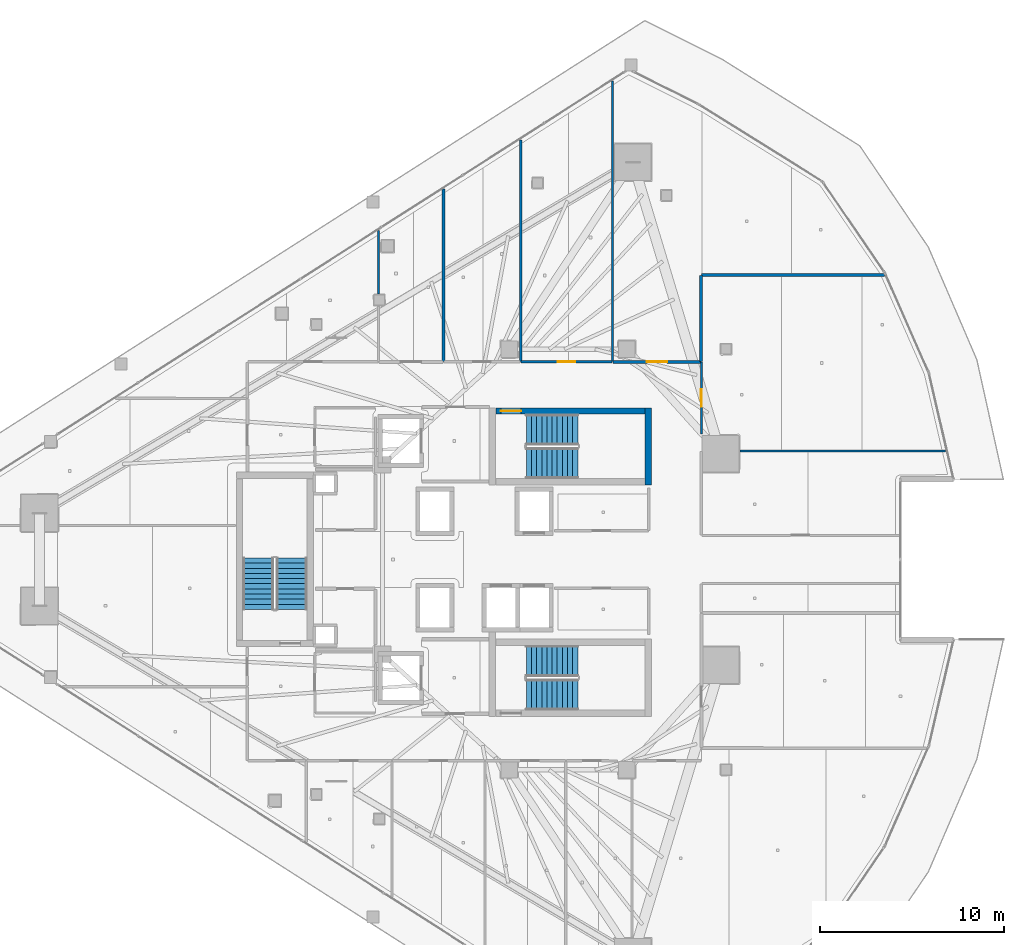
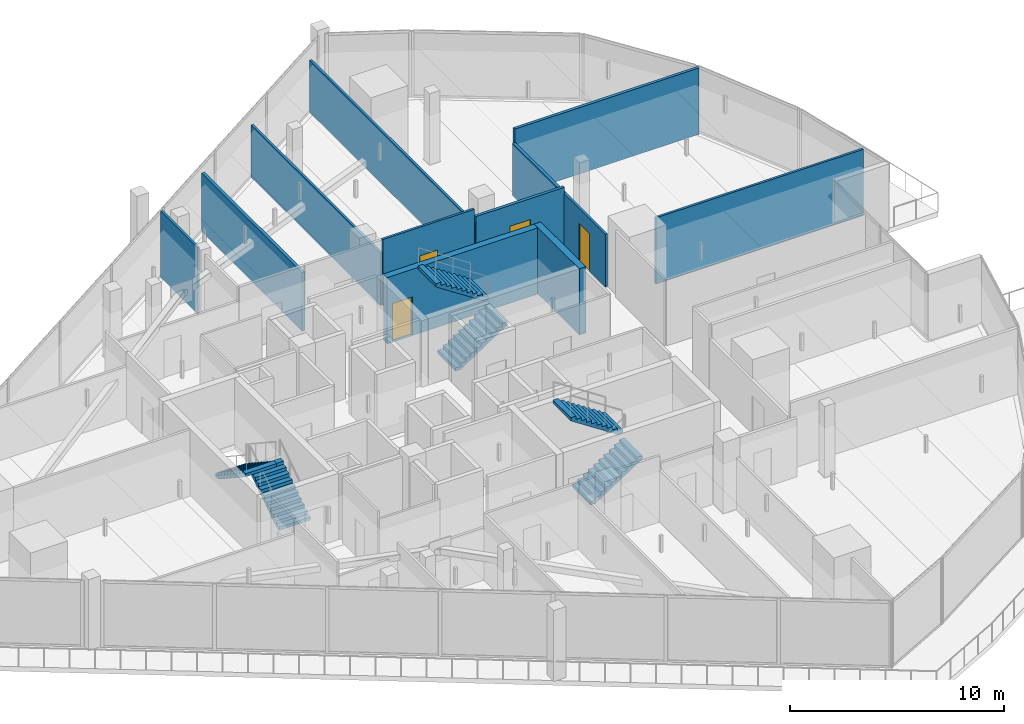
# One storey, part 33 of 43: 12 walls, 6 stair flights, 4 doors, 4 openings, 3 elements without a shape of their own.
"""IFC4 building model written with IfcOpenShell, lengths in metres."""

from ifc_helpers import new_model, si_unit, direction, frame, frame_2d, origin, place, context, subcontext, project, spatial, polyline, rectangle, outline, extrude, material, layer, layer_set, type_object, element, fill, aggregate, save


model = new_model("IFC4")

# Units and contexts
model_context = context("Model", 3, precision=1e-05, world=origin(), true_north=direction((0.0, 1.0)))
body_context = subcontext(model_context, "Body", "Model", "MODEL_VIEW")
ifc_project = project(units=[si_unit("LENGTHUNIT", "METRE"), si_unit("AREAUNIT", "SQUARE_METRE"), si_unit("VOLUMEUNIT", "CUBIC_METRE"), si_unit("PLANEANGLEUNIT", "RADIAN"), si_unit("MASSUNIT", "GRAM", prefix="KILO")], contexts=[model_context])

# Site, building, storey
site_placement = place(None, origin())
site = spatial("IfcSite", under=ifc_project, at=site_placement, CompositionType="ELEMENT")
building_placement = place(site_placement, origin())
building = spatial("IfcBuilding", under=site, at=building_placement, Name="Qorvath Tower", CompositionType="ELEMENT")
storey_placement = place(building_placement, frame((0.0, 0.0, 213.14990234375)))
storey = spatial("IfcBuildingStorey", under=building, at=storey_placement, Name="L49", CompositionType="ELEMENT", Elevation=213.14990234375)

# Wall
ifc_material_1 = material(Name="Double acoustic gypsum board on steel studs", Category="steel")
ifc_layer_1 = layer(ifc_material_1, 0.159912109375)
ifc_layer_set_1 = layer_set([ifc_layer_1], Name="IW-ACOUSTIC-160")
wall_type_1 = type_object("IfcWallType", Name="IW-ACOUSTIC-160", PredefinedType="PARTITIONING", material=ifc_layer_set_1)
wall_1_placement = place(storey_placement, frame((-27.181640625, 10.783203125, 0.0), z_axis=(0.0, 0.0, 1.0), x_axis=(0.0, 1.0, 0.0)))
element("IfcWall", 1, at=wall_1_placement, inside=storey, type_object=wall_type_1, Name="Interior Partition IW-T1-L49-029", PredefinedType="PARTITIONING", context=body_context, shape_type="SweptSolid", body=[
    extrude(rectangle(XDim=9.377685546875, YDim=0.159912109375, at=frame_2d((4.68896484375, 0.0))), origin(), (0.0, 0.0, 1.0), 3.34375),
])

# Wall, opening, door
wall_2_placement = place(storey_placement, frame((-17.948486328125, 10.758056640625, 0.0), z_axis=(0.0, 0.0, 1.0), x_axis=(1.0, 0.0, 0.0)))
wall_2 = element("IfcWall", 2, at=wall_2_placement, inside=storey, type_object=wall_type_1, Name="Interior Partition IW-T1-L49-034", PredefinedType="PARTITIONING", context=body_context, shape_type="SweptSolid", body=[
    extrude(rectangle(XDim=4.773681640625, YDim=0.159912109375, at=frame_2d((2.38671875, 0.0))), origin(), (0.0, 0.0, 1.0), 3.34375),
])
opening_1_placement = place(wall_2_placement, frame((1.8369140625, 0.0, 0.0)))
opening_1 = element("IfcOpeningElement", 3, at=opening_1_placement, cuts=wall_2, Name="Opening D-T1-L49-11", PredefinedType="OPENING", context=body_context, shape_type="SweptSolid", body=[
    extrude(rectangle(XDim=1.10009765625, YDim=2.14990234375, at=frame_2d((0.550048828125, 1.074951171875))), frame((0.0, 0.08984375, 0.0), z_axis=(0.0, -1.0, 0.0), x_axis=(1.0, 0.0, 0.0)), (0.0, 0.0, 1.0), 0.179931640625),
])
ifc_material_2 = material(Name="Anodised aluminium acoustic framed glass", Category="aluminium")
door_type_1 = type_object("IfcDoorType", Name="D-03", OperationType="NOTDEFINED", PredefinedType="DOOR", material=ifc_material_2)
door_1_placement = place(opening_1_placement, origin())
door_1 = element("IfcDoor", 4, at=door_1_placement, inside=storey, type_object=door_type_1, Name="L49-05 Client Services Office Door D-T1-L49-11", OperationType="SINGLE_SWING_RIGHT", OverallHeight=2.14990234375, OverallWidth=1.10009765625, PredefinedType="DOOR", context=body_context, shape_type="SweptSolid", body=[
    extrude(rectangle(XDim=1.10009765625, YDim=2.14990234375, at=frame_2d((0.550048828125, 1.074951171875))), frame((0.0, 0.02490234375, 0.0), z_axis=(0.0, -1.0, 0.0), x_axis=(1.0, 0.0, 0.0)), (0.0, 0.0, 1.0), 0.050048828125),
])
fill(opening_1, door_1)

# Walls
wall_3_placement = place(storey_placement, frame((-13.14990234375, 15.452880859375, 0.0), z_axis=(0.0, 0.0, 1.0), x_axis=(0.0, -1.0, 0.0)))
element("IfcWall", 5, at=wall_3_placement, inside=storey, type_object=wall_type_1, Name="Interior Partition IW-T1-L49-035", PredefinedType="PARTITIONING", context=body_context, shape_type="SweptSolid", body=[
    extrude(rectangle(XDim=4.669677734375, YDim=0.159912109375, at=frame_2d((2.3349609375, 0.0))), origin(), (0.0, 0.0, 1.0), 3.0),
])
wall_4_placement = place(storey_placement, frame((-13.125, 15.47802734375, 0.0), z_axis=(0.0, 0.0, 1.0), x_axis=(0.999999153788, 0.001300931643, 0.0)))
element("IfcWall", 6, at=wall_4_placement, inside=storey, type_object=wall_type_1, Name="Interior Partition IW-T1-L49-036", PredefinedType="PARTITIONING", context=body_context, shape_type="SweptSolid", body=[
    extrude(rectangle(XDim=9.9462890625, YDim=0.159912109375, at=frame_2d((4.97314453125, 0.0))), origin(), (0.0, 0.0, 1.0), 3.780029296875),
])
ifc_material_3 = material(Name="Gypsum board on metal studs with mineral wool", Category="gypsum")
ifc_layer_2 = layer(ifc_material_3, 0.125)
ifc_layer_set_2 = layer_set([ifc_layer_2], Name="IW-PART-125")
wall_type_2 = type_object("IfcWallType", Name="IW-PART-125", PredefinedType="PARTITIONING", material=ifc_layer_set_2)
wall_5_placement = place(storey_placement, frame((-30.72119140625, 14.46435546875, 0.0), z_axis=(0.0, 0.0, 1.0), x_axis=(0.0, 1.0, 0.0)))
element("IfcWall", 7, at=wall_5_placement, inside=storey, type_object=wall_type_2, Name="Interior Partition IW-T1-L49-026", PredefinedType="PARTITIONING", context=body_context, shape_type="SweptSolid", body=[
    extrude(rectangle(XDim=3.43408203125, YDim=0.125, at=frame_2d((1.717041015625, 0.0))), origin(), (0.0, 0.0, 1.0), 3.780029296875),
])
wall_6_placement = place(storey_placement, frame((-22.980712890625, 10.783203125, 0.0), z_axis=(0.0, 0.0, 1.0), x_axis=(0.0, 1.0, 0.0)))
element("IfcWall", 8, at=wall_6_placement, inside=storey, type_object=wall_type_2, Name="Interior Partition IW-T1-L49-031", PredefinedType="PARTITIONING", context=body_context, shape_type="SweptSolid", body=[
    extrude(rectangle(XDim=12.0625, YDim=0.125, at=frame_2d((6.03125, 0.0))), origin(), (0.0, 0.0, 1.0), 2.97705078125),
])

# Wall, opening, door
wall_7_placement = place(storey_placement, frame((-22.947998046875, 10.758056640625, 0.0), z_axis=(0.0, 0.0, 1.0), x_axis=(1.0, 0.0, 0.0)))
wall_7 = element("IfcWall", 9, at=wall_7_placement, inside=storey, type_object=wall_type_2, Name="Interior Partition IW-T1-L49-032", PredefinedType="PARTITIONING", context=body_context, shape_type="SweptSolid", body=[
    extrude(rectangle(XDim=4.941650390625, YDim=0.125, at=frame_2d((2.470703125, 0.0))), origin(), (0.0, 0.0, 1.0), 3.780029296875),
])
opening_2_placement = place(wall_7_placement, frame((1.995849609375, 0.0, 0.0)))
opening_2 = element("IfcOpeningElement", 10, at=opening_2_placement, cuts=wall_7, Name="Opening D-T1-L49-10", PredefinedType="OPENING", context=body_context, shape_type="SweptSolid", body=[
    extrude(rectangle(XDim=0.949951171875, YDim=2.14990234375, at=frame_2d((0.47509765625, 1.074951171875))), frame((0.0, 0.072509765625, 0.0), z_axis=(0.0, -1.0, 0.0), x_axis=(1.0, 0.0, 0.0)), (0.0, 0.0, 1.0), 0.14501953125),
])
ifc_material_4 = material(Name="Solid-core American white oak veneer", Category="wood")
door_type_2 = type_object("IfcDoorType", Name="D-01", OperationType="NOTDEFINED", PredefinedType="DOOR", material=ifc_material_4)
door_2_placement = place(opening_2_placement, origin())
door_2 = element("IfcDoor", 11, at=door_2_placement, inside=storey, type_object=door_type_2, Name="L49-04 Staff Refreshment Pantry and Coffee Bar Door D-T1-L49-10", OperationType="SINGLE_SWING_LEFT", OverallHeight=2.14990234375, OverallWidth=0.949951171875, PredefinedType="DOOR", context=body_context, shape_type="SweptSolid", body=[
    extrude(rectangle(XDim=0.949951171875, YDim=2.14990234375, at=frame_2d((0.47509765625, 1.074951171875))), frame((0.0, 0.02490234375, 0.0), z_axis=(0.0, -1.0, 0.0), x_axis=(1.0, 0.0, 0.0)), (0.0, 0.0, 1.0), 0.050048828125),
])
fill(opening_2, door_2)

# Walls
wall_8_placement = place(storey_placement, frame((-17.9814453125, 10.783203125, 0.0), z_axis=(0.0, 0.0, 1.0), x_axis=(0.0, 1.0, 0.0)))
element("IfcWall", 12, at=wall_8_placement, inside=storey, type_object=wall_type_2, Name="Interior Partition IW-T1-L49-033", PredefinedType="PARTITIONING", context=body_context, shape_type="SweptSolid", body=[
    extrude(rectangle(XDim=15.2578125, YDim=0.125, at=frame_2d((7.62890625, 0.0))), origin(), (0.0, 0.0, 1.0), 2.97705078125),
])
wall_9_placement = place(storey_placement, frame((0.154052734375, 5.905517578125, 0.0), z_axis=(0.0, 0.0, 1.0), x_axis=(-1.0, 0.0, 0.0)))
element("IfcWall", 13, at=wall_9_placement, inside=storey, type_object=wall_type_2, Name="Interior Partition IW-T1-L49-051", PredefinedType="PARTITIONING", context=body_context, shape_type="SweptSolid", body=[
    extrude(rectangle(XDim=11.185791015625, YDim=0.125, at=frame_2d((5.5927734375, 0.0))), origin(), (0.0, 0.0, 1.0), 3.780029296875),
])

# Wall, opening, door
wall_10_placement = place(storey_placement, frame((-13.13818359375, 10.75830078125, 0.0), z_axis=(0.0, 0.0, 1.0), x_axis=(0.000868539904, -0.999999622819, 0.0)))
wall_10 = element("IfcWall", 14, at=wall_10_placement, inside=storey, type_object=wall_type_2, Name="Interior Partition IW-T1-L49-056", PredefinedType="PARTITIONING", context=body_context, shape_type="SweptSolid", body=[
    extrude(rectangle(XDim=3.935302734375, YDim=0.125, at=frame_2d((1.9677734375, 0.0))), origin(), (0.0, 0.0, 1.0), 3.0),
])
opening_3_placement = place(wall_10_placement, frame((1.49267578125, 0.0, 0.0)))
opening_3 = element("IfcOpeningElement", 15, at=opening_3_placement, cuts=wall_10, Name="Opening D-T1-L49-18", PredefinedType="OPENING", context=body_context, shape_type="SweptSolid", body=[
    extrude(rectangle(XDim=0.949951171875, YDim=2.14990234375, at=frame_2d((0.47509765625, 1.074951171875))), frame((0.0, 0.072509765625, 0.0), z_axis=(0.0, -1.0, 0.0), x_axis=(1.0, 0.0, 0.0)), (0.0, 0.0, 1.0), 0.14501953125),
])
door_3_placement = place(opening_3_placement, origin())
door_3 = element("IfcDoor", 16, at=door_3_placement, inside=storey, type_object=door_type_2, Name="L49-13 Open Workplace Studio Door D-T1-L49-18", OperationType="SINGLE_SWING_LEFT", OverallHeight=2.14990234375, OverallWidth=0.949951171875, PredefinedType="DOOR", context=body_context, shape_type="SweptSolid", body=[
    extrude(rectangle(XDim=0.949951171875, YDim=2.14990234375, at=frame_2d((0.47509765625, 1.074951171875))), frame((0.0, 0.02490234375, 0.0), z_axis=(0.0, -1.0, 0.0), x_axis=(1.0, 0.0, 0.0)), (0.0, 0.0, 1.0), 0.050048828125),
])
fill(opening_3, door_3)

# Wall
ifc_material_5 = material(Name="Concrete C60/75", Category="concrete")
ifc_layer_3 = layer(ifc_material_5, 0.35009765625)
ifc_layer_set_3 = layer_set([ifc_layer_3], Name="SW-STAIR")
wall_type_3 = type_object("IfcWallType", Name="SW-STAIR", PredefinedType="SHEAR", material=ifc_layer_set_3)
wall_11_placement = place(storey_placement, frame((-16.02490234375, 4.050048828125, 0.0), z_axis=(0.0, 0.0, 1.0), x_axis=(0.0, 1.0, 0.0)))
element("IfcWall", 17, at=wall_11_placement, inside=storey, type_object=wall_type_3, Name="Stair TS1 Shear Wall L49 FAR", PredefinedType="SHEAR", context=body_context, shape_type="SweptSolid", body=[
    extrude(rectangle(XDim=4.2099609375, YDim=0.35009765625, at=frame_2d((2.10498046875, 0.0))), origin(), (0.0, 0.0, 1.0), 3.780029296875),
])

# Wall, opening, door
wall_12_placement = place(storey_placement, frame((-16.215087890625, 8.0849609375, 0.0), z_axis=(0.0, 0.0, 1.0), x_axis=(-1.0, 0.0, 0.0)))
wall_12 = element("IfcWall", 18, at=wall_12_placement, inside=storey, type_object=wall_type_3, Name="Stair TS1 Shear Wall L49 RIGHT", PredefinedType="SHEAR", context=body_context, shape_type="SweptSolid", body=[
    extrude(rectangle(XDim=8.119873046875, YDim=0.35009765625, at=frame_2d((4.06005859375, 0.0))), origin(), (0.0, 0.0, 1.0), 3.780029296875),
])
opening_4_placement = place(wall_12_placement, frame((6.739990234375, 0.0, 0.0)))
opening_4 = element("IfcOpeningElement", 19, at=opening_4_placement, cuts=wall_12, Name="Opening D-TS1-L49", PredefinedType="OPENING", context=body_context, shape_type="SweptSolid", body=[
    extrude(rectangle(XDim=1.10009765625, YDim=2.199951171875, at=frame_2d((0.550048828125, 1.10009765625))), frame((0.0, 0.18505859375, 0.0), z_axis=(0.0, -1.0, 0.0), x_axis=(1.0, 0.0, 0.0)), (0.0, 0.0, 1.0), 0.3701171875),
])
ifc_material_6 = material(Name="Painted galvanised hollow metal", Category="steel")
door_type_3 = type_object("IfcDoorType", Name="FD-90", OperationType="NOTDEFINED", PredefinedType="DOOR", material=ifc_material_6)
door_4_placement = place(opening_4_placement, origin())
door_4 = element("IfcDoor", 20, at=door_4_placement, inside=storey, type_object=door_type_3, Name="Stair TS1 Fire Door L49", OperationType="SINGLE_SWING_RIGHT", OverallHeight=2.199951171875, OverallWidth=1.10009765625, PredefinedType="DOOR", context=body_context, shape_type="SweptSolid", body=[
    extrude(rectangle(XDim=1.10009765625, YDim=2.199951171875, at=frame_2d((0.550048828125, 1.10009765625))), frame((0.0, 0.02490234375, 0.0), z_axis=(0.0, -1.0, 0.0), x_axis=(1.0, 0.0, 0.0)), (0.0, 0.0, 1.0), 0.050048828125),
])
fill(opening_4, door_4)

# Stair, stair flights
ifc_material_7 = material(Name="Concrete C50/60", Category="concrete")
stair_type = type_object("IfcStairType", Name="ST-H405", PredefinedType="HALF_TURN_STAIR", material=ifc_material_7)
stair_1_placement = place(storey_placement, origin())
stair_1 = element("IfcStair", 21, at=stair_1_placement, inside=storey, type_object=stair_type, Name="L49 Tower Exit Stair 1", PredefinedType="HALF_TURN_STAIR")
ifc_material_8 = material(Name="Concrete C50/60", Category="concrete")
ifc_layer_4 = layer(ifc_material_8, 0.14990234375)
ifc_layer_set_4 = layer_set([ifc_layer_4], Name="SF-H405")
stair_flight_type = type_object("IfcStairFlightType", Name="SF-H405", PredefinedType="STRAIGHT", material=ifc_layer_set_4)
stair_flight_1_placement = place(storey_placement, frame((-22.669921875, 5.239990234375, 0.0), z_axis=(0.0, 0.0, 1.0), x_axis=(1.0, 0.0, 0.0)))
stair_flight_1 = element("IfcStairFlight", 22, at=stair_flight_1_placement, type_object=stair_flight_type, Name="TS1 flight 1", NumberOfRisers=11, NumberOfTreads=10, PredefinedType="STRAIGHT", RiserHeight=0.184090909, TreadLength=0.28, context=body_context, shape_type="SweptSolid", body=[
    extrude(outline(polyline([(0.0, 0.0), (0.0, 0.18408203125), (0.280029296875, 0.18408203125), (0.280029296875, 0.3681640625), (0.56005859375, 0.3681640625), (0.56005859375, 0.55224609375), (0.840087890625, 0.55224609375), (0.840087890625, 0.736328125), (1.1201171875, 0.736328125), (1.1201171875, 0.92041015625), (1.39990234375, 0.92041015625), (1.39990234375, 1.1044921875), (1.679931640625, 1.1044921875), (1.679931640625, 1.28857421875), (1.9599609375, 1.28857421875), (1.9599609375, 1.47265625), (2.239990234375, 1.47265625), (2.239990234375, 1.65673828125), (2.52001953125, 1.65673828125), (2.52001953125, 1.8408203125), (2.800048828125, 1.8408203125), (2.800048828125, 2.02490234375), (2.800048828125, 1.66162109375), (0.27294921875, 0.0), (0.0, 0.0)])), frame((0.0, 0.83984375, 0.0), z_axis=(0.0, -1.0, 0.0), x_axis=(1.0, 0.0, 0.0)), (0.0, 0.0, 1.0), 1.679931640625),
])
stair_flight_2_placement = place(storey_placement, frame((-19.8701171875, 7.070068359375, 2.025146484375), z_axis=(0.0, 0.0, 1.0), x_axis=(-1.0, 0.0, 0.0)))
stair_flight_2 = element("IfcStairFlight", 23, at=stair_flight_2_placement, type_object=stair_flight_type, Name="TS1 flight 2", NumberOfRisers=11, NumberOfTreads=10, PredefinedType="STRAIGHT", RiserHeight=0.184090909, TreadLength=0.28, context=body_context, shape_type="SweptSolid", body=[
    extrude(outline(polyline([(0.0, 0.0), (0.0, 0.18408203125), (0.280029296875, 0.18408203125), (0.280029296875, 0.3681640625), (0.56005859375, 0.3681640625), (0.56005859375, 0.55224609375), (0.840087890625, 0.55224609375), (0.840087890625, 0.736328125), (1.1201171875, 0.736328125), (1.1201171875, 0.92041015625), (1.39990234375, 0.92041015625), (1.39990234375, 1.1044921875), (1.679931640625, 1.1044921875), (1.679931640625, 1.28857421875), (1.9599609375, 1.28857421875), (1.9599609375, 1.47265625), (2.239990234375, 1.47265625), (2.239990234375, 1.65673828125), (2.52001953125, 1.65673828125), (2.52001953125, 1.8408203125), (2.800048828125, 1.8408203125), (2.800048828125, 2.02490234375), (2.800048828125, 1.66162109375), (0.27294921875, 0.0), (0.0, 0.0)])), frame((0.0, 0.83984375, 0.0), z_axis=(0.0, -1.0, 0.0), x_axis=(1.0, 0.0, 0.0)), (0.0, 0.0, 1.0), 1.679931640625),
])
aggregate(stair_1, [stair_flight_1, stair_flight_2])

stair_2_placement = place(storey_placement, origin())
stair_2 = element("IfcStair", 24, at=stair_2_placement, inside=storey, type_object=stair_type, Name="L49 Tower Exit Stair 2", PredefinedType="HALF_TURN_STAIR")
stair_flight_3_placement = place(storey_placement, frame((-22.669921875, -7.360107421875, 0.0), z_axis=(0.0, 0.0, 1.0), x_axis=(1.0, 0.0, 0.0)))
stair_flight_3 = element("IfcStairFlight", 25, at=stair_flight_3_placement, type_object=stair_flight_type, Name="TS2 flight 1", NumberOfRisers=11, NumberOfTreads=10, PredefinedType="STRAIGHT", RiserHeight=0.184090909, TreadLength=0.28, context=body_context, shape_type="SweptSolid", body=[
    extrude(outline(polyline([(0.0, 0.0), (0.0, 0.18408203125), (0.280029296875, 0.18408203125), (0.280029296875, 0.3681640625), (0.56005859375, 0.3681640625), (0.56005859375, 0.55224609375), (0.840087890625, 0.55224609375), (0.840087890625, 0.736328125), (1.1201171875, 0.736328125), (1.1201171875, 0.92041015625), (1.39990234375, 0.92041015625), (1.39990234375, 1.1044921875), (1.679931640625, 1.1044921875), (1.679931640625, 1.28857421875), (1.9599609375, 1.28857421875), (1.9599609375, 1.47265625), (2.239990234375, 1.47265625), (2.239990234375, 1.65673828125), (2.52001953125, 1.65673828125), (2.52001953125, 1.8408203125), (2.800048828125, 1.8408203125), (2.800048828125, 2.02490234375), (2.800048828125, 1.66162109375), (0.27294921875, 0.0), (0.0, 0.0)])), frame((0.0, 0.83984375, 0.0), z_axis=(0.0, -1.0, 0.0), x_axis=(1.0, 0.0, 0.0)), (0.0, 0.0, 1.0), 1.679931640625),
])
stair_flight_4_placement = place(storey_placement, frame((-19.8701171875, -5.530029296875, 2.025146484375), z_axis=(0.0, 0.0, 1.0), x_axis=(-1.0, 0.0, 0.0)))
stair_flight_4 = element("IfcStairFlight", 26, at=stair_flight_4_placement, type_object=stair_flight_type, Name="TS2 flight 2", NumberOfRisers=11, NumberOfTreads=10, PredefinedType="STRAIGHT", RiserHeight=0.184090909, TreadLength=0.28, context=body_context, shape_type="SweptSolid", body=[
    extrude(outline(polyline([(0.0, 0.0), (0.0, 0.18408203125), (0.280029296875, 0.18408203125), (0.280029296875, 0.3681640625), (0.56005859375, 0.3681640625), (0.56005859375, 0.55224609375), (0.840087890625, 0.55224609375), (0.840087890625, 0.736328125), (1.1201171875, 0.736328125), (1.1201171875, 0.92041015625), (1.39990234375, 0.92041015625), (1.39990234375, 1.1044921875), (1.679931640625, 1.1044921875), (1.679931640625, 1.28857421875), (1.9599609375, 1.28857421875), (1.9599609375, 1.47265625), (2.239990234375, 1.47265625), (2.239990234375, 1.65673828125), (2.52001953125, 1.65673828125), (2.52001953125, 1.8408203125), (2.800048828125, 1.8408203125), (2.800048828125, 2.02490234375), (2.800048828125, 1.66162109375), (0.27294921875, 0.0), (0.0, 0.0)])), frame((0.0, 0.83984375, 0.0), z_axis=(0.0, -1.0, 0.0), x_axis=(1.0, 0.0, 0.0)), (0.0, 0.0, 1.0), 1.679931640625),
])
aggregate(stair_2, [stair_flight_3, stair_flight_4])

stair_3_placement = place(storey_placement, origin())
stair_3 = element("IfcStair", 27, at=stair_3_placement, inside=storey, type_object=stair_type, Name="L49 Tower Exit Stair 3", PredefinedType="HALF_TURN_STAIR")
stair_flight_5_placement = place(storey_placement, frame((-35.43994140625, -2.719970703125, 0.0), z_axis=(0.0, 0.0, 1.0), x_axis=(0.0, 1.0, 0.0)))
stair_flight_5 = element("IfcStairFlight", 28, at=stair_flight_5_placement, type_object=stair_flight_type, Name="TS3 flight 1", NumberOfRisers=11, NumberOfTreads=10, PredefinedType="STRAIGHT", RiserHeight=0.184090909, TreadLength=0.28, context=body_context, shape_type="SweptSolid", body=[
    extrude(outline(polyline([(0.0, 0.0), (0.0, 0.18408203125), (0.280029296875, 0.18408203125), (0.280029296875, 0.3681640625), (0.56005859375, 0.3681640625), (0.56005859375, 0.55224609375), (0.840087890625, 0.55224609375), (0.840087890625, 0.736328125), (1.1201171875, 0.736328125), (1.1201171875, 0.92041015625), (1.39990234375, 0.92041015625), (1.39990234375, 1.1044921875), (1.679931640625, 1.1044921875), (1.679931640625, 1.28857421875), (1.9599609375, 1.28857421875), (1.9599609375, 1.47265625), (2.239990234375, 1.47265625), (2.239990234375, 1.65673828125), (2.52001953125, 1.65673828125), (2.52001953125, 1.8408203125), (2.800048828125, 1.8408203125), (2.800048828125, 2.02490234375), (2.800048828125, 1.66162109375), (0.27294921875, 0.0), (0.0, 0.0)])), frame((0.0, 0.83984375, 0.0), z_axis=(0.0, -1.0, 0.0), x_axis=(1.0, 0.0, 0.0)), (0.0, 0.0, 1.0), 1.679931640625),
])
stair_flight_6_placement = place(storey_placement, frame((-37.27001953125, 0.080078125, 2.025146484375), z_axis=(0.0, 0.0, 1.0), x_axis=(0.0, -1.0, 0.0)))
stair_flight_6 = element("IfcStairFlight", 29, at=stair_flight_6_placement, type_object=stair_flight_type, Name="TS3 flight 2", NumberOfRisers=11, NumberOfTreads=10, PredefinedType="STRAIGHT", RiserHeight=0.184090909, TreadLength=0.28, context=body_context, shape_type="SweptSolid", body=[
    extrude(outline(polyline([(0.0, 0.0), (0.0, 0.18408203125), (0.280029296875, 0.18408203125), (0.280029296875, 0.3681640625), (0.56005859375, 0.3681640625), (0.56005859375, 0.55224609375), (0.840087890625, 0.55224609375), (0.840087890625, 0.736328125), (1.1201171875, 0.736328125), (1.1201171875, 0.92041015625), (1.39990234375, 0.92041015625), (1.39990234375, 1.1044921875), (1.679931640625, 1.1044921875), (1.679931640625, 1.28857421875), (1.9599609375, 1.28857421875), (1.9599609375, 1.47265625), (2.239990234375, 1.47265625), (2.239990234375, 1.65673828125), (2.52001953125, 1.65673828125), (2.52001953125, 1.8408203125), (2.800048828125, 1.8408203125), (2.800048828125, 2.02490234375), (2.800048828125, 1.66162109375), (0.27294921875, 0.0), (0.0, 0.0)])), frame((0.0, 0.83984375, 0.0), z_axis=(0.0, -1.0, 0.0), x_axis=(1.0, 0.0, 0.0)), (0.0, 0.0, 1.0), 1.679931640625),
])
aggregate(stair_3, [stair_flight_5, stair_flight_6])

save(model, "model.ifc")
